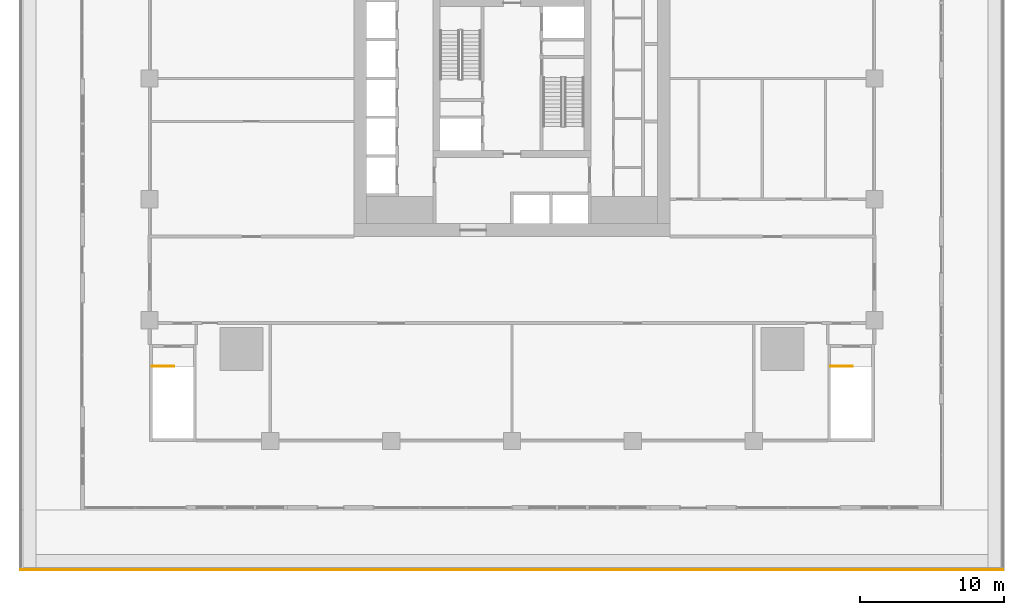
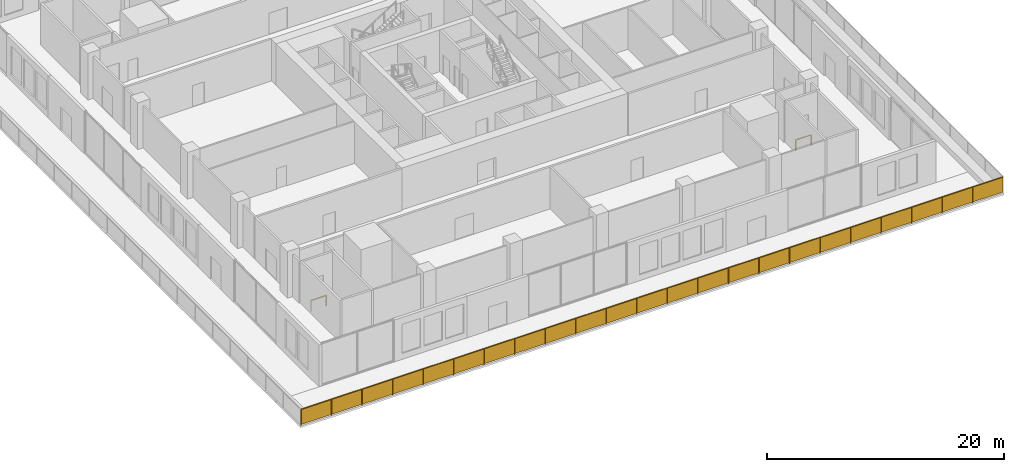
# One storey, part 18 of 22: 3 railings.
"""IFC4 building model written with IfcOpenShell, lengths in metres."""

import ifcopenshell
import ifcopenshell.guid

model = None  # the IFC model being written
_history = None  # IfcOwnerHistory: only IFC2X3 demands one
_inside = {}  # id of a spatial element -> (the spatial element, [elements in it])
_under = {}  # id of a project, library or spatial element -> (it, [spatial elements below it])
_declared = {}  # id of a project -> (the project, [libraries it declares])
_typed = {}  # id of a type object -> (the type object, [elements of that type])
_made_of = {}  # id of a material, layer set ... -> (it, [elements and type objects made of it])


def new_model(schema):
    """Start an empty IFC model of exactly this schema.

    Asked for "IFC4X3", IfcOpenShell would pick the latest addendum, in which some entities
    have other attributes; the version numbers below select the first issue.
    IFC2X3 requires an IfcOwnerHistory on every rooted entity: one is made here for all.
    """
    global model, _history
    if schema == "IFC4X3":
        model = ifcopenshell.file(schema_version=(4, 3, 0, 0))
    else:
        model = ifcopenshell.file(schema=schema)
    _inside.clear()
    _under.clear()
    _declared.clear()
    _typed.clear()
    _made_of.clear()
    _history = None
    if model.schema == "IFC2X3":
        org = make("IfcOrganization", Name="unknown")
        user = make(
            "IfcPersonAndOrganization",
            ThePerson=make("IfcPerson", FamilyName="unknown"),
            TheOrganization=org,
        )
        app = make(
            "IfcApplication",
            ApplicationDeveloper=org,
            Version="unknown",
            ApplicationFullName="unknown",
            ApplicationIdentifier="unknown",
        )
        _history = make(
            "IfcOwnerHistory",
            OwningUser=user,
            OwningApplication=app,
            ChangeAction="ADDED",
            CreationDate=0,
        )
    return model


def make(cls, **values):
    """One entity of the class cls with the attributes given. An attribute that is None is left unset."""
    return model.create_entity(
        cls, **{name: value for name, value in values.items() if value is not None}
    )


def rooted(cls, **values):
    """An entity with a GlobalId (a new one), such as an element, a storey or a relation."""
    return make(cls, GlobalId=ifcopenshell.guid.new(), OwnerHistory=_history, **values)


def si_unit(unit_type, name, prefix=None):
    """IfcSIUnit, for example si_unit("LENGTHUNIT", "METRE", prefix="MILLI")."""
    return make("IfcSIUnit", UnitType=unit_type, Prefix=prefix, Name=name)


def assignment(units):
    """IfcUnitAssignment: the units of a project."""
    return None if units is None else make("IfcUnitAssignment", Units=units)


def point(xyz):
    """IfcCartesianPoint."""
    return None if xyz is None else make("IfcCartesianPoint", Coordinates=xyz)


def direction(xyz):
    """IfcDirection."""
    return None if xyz is None else make("IfcDirection", DirectionRatios=xyz)


def frame(location, z_axis=None, x_axis=None):
    """IfcAxis2Placement3D, a coordinate frame: its origin and axes. An axis left out is left unset."""
    return make(
        "IfcAxis2Placement3D",
        Location=point(location),
        Axis=direction(z_axis),
        RefDirection=direction(x_axis),
    )


def frame_2d(location, x_axis=None):
    """IfcAxis2Placement2D, a coordinate frame in the plane: its origin and x axis."""
    return make(
        "IfcAxis2Placement2D", Location=point(location), RefDirection=direction(x_axis)
    )


def origin():
    """The frame at (0, 0, 0) with its axes left unset."""
    return frame((0.0, 0.0, 0.0))


def origin_2d():
    """The frame at (0, 0) in the plane with its x axis left unset."""
    return frame_2d((0.0, 0.0))


def place(relative_to, where):
    """IfcLocalPlacement: puts the frame where relative to a parent placement (None: the world)."""
    return make(
        "IfcLocalPlacement", PlacementRelTo=relative_to, RelativePlacement=where
    )


def context(
    kind, dimensions, precision=None, world=None, true_north=None, identifier=None
):
    """IfcGeometricRepresentationContext, for example the 3D "Model" context."""
    return make(
        "IfcGeometricRepresentationContext",
        ContextIdentifier=identifier,
        ContextType=kind,
        CoordinateSpaceDimension=dimensions,
        Precision=precision,
        WorldCoordinateSystem=world,
        TrueNorth=true_north,
    )


def subcontext(parent, identifier, kind, view, scale=None):
    """IfcGeometricRepresentationSubContext, for example "Body" below "Model"."""
    return make(
        "IfcGeometricRepresentationSubContext",
        ContextIdentifier=identifier,
        ContextType=kind,
        ParentContext=parent,
        TargetScale=scale,
        TargetView=view,
    )


def project(units=None, contexts=None):
    """IfcProject with its units and contexts."""
    return rooted(
        "IfcProject",
        Name="project",
        RepresentationContexts=contexts,
        UnitsInContext=assignment(units),
    )


def spatial(cls, under=None, at=None, **own):
    """A site, building, storey or space (cls), placed at a placement, below another one or the project."""
    s = rooted(cls, ObjectPlacement=at, **own)
    if under is not None:
        _under.setdefault(under.id(), (under, []))[1].append(s)
    return s


def profile(cls, at=None, kind="AREA", **sizes):
    """A parametric profile (cls). Its sizes go by their IFC names, for example OverallWidth=200.0."""
    return make(cls, ProfileType=kind, Position=at, **sizes)


def rectangle(**sizes):
    """IfcRectangleProfileDef."""
    return profile("IfcRectangleProfileDef", **sizes)


def extrude(swept, where, along, depth):
    """IfcExtrudedAreaSolid: the profile swept, set in the frame where, extruded along a direction by depth."""
    return make(
        "IfcExtrudedAreaSolid",
        SweptArea=swept,
        Position=where,
        ExtrudedDirection=direction(along),
        Depth=depth,
    )


def shape(context_of_items, identifier, shape_type, items):
    """IfcShapeRepresentation: the items that make up one representation, for example the "Body"."""
    return make(
        "IfcShapeRepresentation",
        ContextOfItems=context_of_items,
        RepresentationIdentifier=identifier,
        RepresentationType=shape_type,
        Items=items,
    )


def material(Name=None, Category=None):
    """IfcMaterial."""
    return make("IfcMaterial", Name=Name, Category=Category)


def made_of(thing, what):
    """Note that an element or type object is made of a material, layer set ...; save() writes the relation."""
    if what is not None:
        _made_of.setdefault(what.id(), (what, []))[1].append(thing)
    return thing


def type_object(cls, material=None, **own):
    """A type object (cls), such as IfcWallType, which elements share."""
    return made_of(rooted(cls, **own), material)


def element(
    cls,
    number,
    at=None,
    inside=None,
    cuts=None,
    type_object=None,
    material=None,
    context=None,
    identifier="Body",
    shape_type=None,
    held_by="IfcProductDefinitionShape",
    body=None,
    shapes=None,
    **own,
):
    """One element of the class cls, such as IfcWall. Its Tag is "e" and its number.

    at: its placement. inside: the storey or other place that contains it. cuts: it is an
    opening in that element (IfcRelVoidsElement). A single representation is given by context,
    identifier, shape_type and body (its items); several are given by shapes. held_by: the class
    of the entity that holds the representations. save() writes the other relations.
    """
    e = rooted(cls, Tag="e%d" % number, ObjectPlacement=at, **own)
    if body is not None:
        shapes = [shape(context, identifier, shape_type, body)]
    if shapes is not None:
        e.Representation = make(held_by, Representations=shapes)
    if inside is not None:
        _inside.setdefault(inside.id(), (inside, []))[1].append(e)
    if cuts is not None:
        rooted(
            "IfcRelVoidsElement", RelatingBuildingElement=cuts, RelatedOpeningElement=e
        )
    if type_object is not None:
        _typed.setdefault(type_object.id(), (type_object, []))[1].append(e)
    return made_of(e, material)


def aggregate(whole, parts):
    """IfcRelAggregates: a whole, such as a stair, and the parts it consists of."""
    return rooted("IfcRelAggregates", RelatingObject=whole, RelatedObjects=parts)


def save(model, path):
    """Write the relations noted so far, then the file.

    IfcRelAggregates (storeys below a building ...), IfcRelContainedInSpatialStructure (elements
    in a storey), IfcRelDefinesByType, IfcRelAssociatesMaterial and IfcRelDeclares: one each for
    every whole, place, type object, material and project.
    """
    for whole, parts in _under.values():
        aggregate(whole, parts)
    for where, things in _inside.values():
        rooted(
            "IfcRelContainedInSpatialStructure",
            RelatedElements=things,
            RelatingStructure=where,
        )
    for kind, things in _typed.values():
        rooted("IfcRelDefinesByType", RelatedObjects=things, RelatingType=kind)
    for what, things in _made_of.values():
        rooted("IfcRelAssociatesMaterial", RelatedObjects=things, RelatingMaterial=what)
    for by, libraries in _declared.values():
        rooted("IfcRelDeclares", RelatingContext=by, RelatedDefinitions=libraries)
    model.write(path)


model = new_model("IFC4")

# Units and contexts
model_context = context("Model", 3, precision=1e-05, world=origin(), true_north=direction((0.0, 1.0)))
body_context = subcontext(model_context, "Body", "Model", "MODEL_VIEW")
ifc_project = project(units=[si_unit("LENGTHUNIT", "METRE"), si_unit("AREAUNIT", "SQUARE_METRE"), si_unit("VOLUMEUNIT", "CUBIC_METRE"), si_unit("PLANEANGLEUNIT", "RADIAN"), si_unit("MASSUNIT", "GRAM", prefix="KILO")], contexts=[model_context])

# Site, building, storey
site_placement = place(None, origin())
site = spatial("IfcSite", under=ifc_project, at=site_placement, CompositionType="ELEMENT")
building_placement = place(site_placement, origin())
building = spatial("IfcBuilding", under=site, at=building_placement, Name="Khepri Terraces", CompositionType="ELEMENT")
storey_placement = place(building_placement, frame((0.0, 0.0, 22.199951171875)))
storey = spatial("IfcBuildingStorey", under=building, at=storey_placement, Name="L04", CompositionType="ELEMENT", Elevation=22.199951171875)

# Railings
ifc_material_1 = material(Name="Stainless steel grade 316", Category="steel")
railing_type_1 = type_object("IfcRailingType", Name="GRD-TERR-1700", PredefinedType="GUARDRAIL", material=ifc_material_1)
railing_placement = place(storey_placement, frame((34.14990234375, -34.14990234375, 0.0)))
element("IfcRailing", 1, at=railing_placement, inside=storey, type_object=railing_type_1, Name="Terrace guard L04", PredefinedType="GUARDRAIL", context=body_context, shape_type="SweptSolid", body=[
    extrude(rectangle(XDim=0.050048828125, YDim=0.06005859375, at=origin_2d()), frame((0.0, 0.0, 1.669921875), z_axis=(-1.0, 0.0, 0.0), x_axis=(0.0, -1.0, 0.0)), (0.0, 0.0, 1.0), 68.2998046875),
    extrude(rectangle(XDim=2.91943359375, YDim=0.011962890625, at=origin_2d()), frame((-1.48486328125, 0.0, 0.10009765625), z_axis=(0.0, 0.0, 1.0), x_axis=(-1.0, 0.0, 0.0)), (0.0, 0.0, 1.0), 1.539794921875),
    extrude(rectangle(XDim=2.91943359375, YDim=0.011962890625, at=origin_2d()), frame((-4.454345703125, 0.0, 0.10009765625), z_axis=(0.0, 0.0, 1.0), x_axis=(-1.0, 0.0, 0.0)), (0.0, 0.0, 1.0), 1.539794921875),
    extrude(rectangle(XDim=2.91943359375, YDim=0.011962890625, at=origin_2d()), frame((-7.423828125, 0.0, 0.10009765625), z_axis=(0.0, 0.0, 1.0), x_axis=(-1.0, 0.0, 0.0)), (0.0, 0.0, 1.0), 1.539794921875),
    extrude(rectangle(XDim=2.91943359375, YDim=0.011962890625, at=origin_2d()), frame((-10.3935546875, 0.0, 0.10009765625), z_axis=(0.0, 0.0, 1.0), x_axis=(-1.0, 0.0, 0.0)), (0.0, 0.0, 1.0), 1.539794921875),
    extrude(rectangle(XDim=2.91943359375, YDim=0.011962890625, at=origin_2d()), frame((-13.363037109375, 0.0, 0.10009765625), z_axis=(0.0, 0.0, 1.0), x_axis=(-1.0, 0.0, 0.0)), (0.0, 0.0, 1.0), 1.539794921875),
    extrude(rectangle(XDim=2.91943359375, YDim=0.011962890625, at=origin_2d()), frame((-16.33251953125, 0.0, 0.10009765625), z_axis=(0.0, 0.0, 1.0), x_axis=(-1.0, 0.0, 0.0)), (0.0, 0.0, 1.0), 1.539794921875),
    extrude(rectangle(XDim=2.91943359375, YDim=0.011962890625, at=origin_2d()), frame((-19.302001953125, 0.0, 0.10009765625), z_axis=(0.0, 0.0, 1.0), x_axis=(-1.0, 0.0, 0.0)), (0.0, 0.0, 1.0), 1.539794921875),
    extrude(rectangle(XDim=2.91943359375, YDim=0.011962890625, at=origin_2d()), frame((-22.271728515625, 0.0, 0.10009765625), z_axis=(0.0, 0.0, 1.0), x_axis=(-1.0, 0.0, 0.0)), (0.0, 0.0, 1.0), 1.539794921875),
    extrude(rectangle(XDim=2.91943359375, YDim=0.011962890625, at=origin_2d()), frame((-25.2412109375, 0.0, 0.10009765625), z_axis=(0.0, 0.0, 1.0), x_axis=(-1.0, 0.0, 0.0)), (0.0, 0.0, 1.0), 1.539794921875),
    extrude(rectangle(XDim=2.91943359375, YDim=0.011962890625, at=origin_2d()), frame((-28.210693359375, 0.0, 0.10009765625), z_axis=(0.0, 0.0, 1.0), x_axis=(-1.0, 0.0, 0.0)), (0.0, 0.0, 1.0), 1.539794921875),
    extrude(rectangle(XDim=2.91943359375, YDim=0.011962890625, at=origin_2d()), frame((-31.180419921875, 0.0, 0.10009765625), z_axis=(0.0, 0.0, 1.0), x_axis=(-1.0, 0.0, 0.0)), (0.0, 0.0, 1.0), 1.539794921875),
    extrude(rectangle(XDim=2.91943359375, YDim=0.011962890625, at=origin_2d()), frame((-34.14990234375, 0.0, 0.10009765625), z_axis=(0.0, 0.0, 1.0), x_axis=(-1.0, 0.0, 0.0)), (0.0, 0.0, 1.0), 1.539794921875),
    extrude(rectangle(XDim=2.91943359375, YDim=0.011962890625, at=origin_2d()), frame((-37.119384765625, 0.0, 0.10009765625), z_axis=(0.0, 0.0, 1.0), x_axis=(-1.0, 0.0, 0.0)), (0.0, 0.0, 1.0), 1.539794921875),
    extrude(rectangle(XDim=2.91943359375, YDim=0.011962890625, at=origin_2d()), frame((-40.089111328125, 0.0, 0.10009765625), z_axis=(0.0, 0.0, 1.0), x_axis=(-1.0, 0.0, 0.0)), (0.0, 0.0, 1.0), 1.539794921875),
    extrude(rectangle(XDim=2.91943359375, YDim=0.011962890625, at=origin_2d()), frame((-43.05859375, 0.0, 0.10009765625), z_axis=(0.0, 0.0, 1.0), x_axis=(-1.0, 0.0, 0.0)), (0.0, 0.0, 1.0), 1.539794921875),
    extrude(rectangle(XDim=2.91943359375, YDim=0.011962890625, at=origin_2d()), frame((-46.028076171875, 0.0, 0.10009765625), z_axis=(0.0, 0.0, 1.0), x_axis=(-1.0, 0.0, 0.0)), (0.0, 0.0, 1.0), 1.539794921875),
    extrude(rectangle(XDim=2.91943359375, YDim=0.011962890625, at=origin_2d()), frame((-48.997802734375, 0.0, 0.10009765625), z_axis=(0.0, 0.0, 1.0), x_axis=(-1.0, 0.0, 0.0)), (0.0, 0.0, 1.0), 1.539794921875),
    extrude(rectangle(XDim=2.91943359375, YDim=0.011962890625, at=origin_2d()), frame((-51.96728515625, 0.0, 0.10009765625), z_axis=(0.0, 0.0, 1.0), x_axis=(-1.0, 0.0, 0.0)), (0.0, 0.0, 1.0), 1.539794921875),
    extrude(rectangle(XDim=2.91943359375, YDim=0.011962890625, at=origin_2d()), frame((-54.936767578125, 0.0, 0.10009765625), z_axis=(0.0, 0.0, 1.0), x_axis=(-1.0, 0.0, 0.0)), (0.0, 0.0, 1.0), 1.539794921875),
    extrude(rectangle(XDim=2.91943359375, YDim=0.011962890625, at=origin_2d()), frame((-57.90625, 0.0, 0.10009765625), z_axis=(0.0, 0.0, 1.0), x_axis=(-1.0, 0.0, 0.0)), (0.0, 0.0, 1.0), 1.539794921875),
    extrude(rectangle(XDim=2.91943359375, YDim=0.011962890625, at=origin_2d()), frame((-60.8759765625, 0.0, 0.10009765625), z_axis=(0.0, 0.0, 1.0), x_axis=(-1.0, 0.0, 0.0)), (0.0, 0.0, 1.0), 1.539794921875),
    extrude(rectangle(XDim=2.91943359375, YDim=0.011962890625, at=origin_2d()), frame((-63.845458984375, 0.0, 0.10009765625), z_axis=(0.0, 0.0, 1.0), x_axis=(-1.0, 0.0, 0.0)), (0.0, 0.0, 1.0), 1.539794921875),
    extrude(rectangle(XDim=2.91943359375, YDim=0.011962890625, at=origin_2d()), frame((-66.81494140625, 0.0, 0.10009765625), z_axis=(0.0, 0.0, 1.0), x_axis=(-1.0, 0.0, 0.0)), (0.0, 0.0, 1.0), 1.539794921875),
    extrude(rectangle(XDim=0.050048828125, YDim=0.050048828125, at=origin_2d()), frame((-2.969482421875, 0.0, 0.0)), (0.0, 0.0, 1.0), 1.639892578125),
    extrude(rectangle(XDim=0.050048828125, YDim=0.050048828125, at=origin_2d()), frame((-5.939208984375, 0.0, 0.0)), (0.0, 0.0, 1.0), 1.639892578125),
    extrude(rectangle(XDim=0.050048828125, YDim=0.050048828125, at=origin_2d()), frame((-8.90869140625, 0.0, 0.0)), (0.0, 0.0, 1.0), 1.639892578125),
    extrude(rectangle(XDim=0.050048828125, YDim=0.050048828125, at=origin_2d()), frame((-11.878173828125, 0.0, 0.0)), (0.0, 0.0, 1.0), 1.639892578125),
    extrude(rectangle(XDim=0.050048828125, YDim=0.050048828125, at=origin_2d()), frame((-14.847900390625, 0.0, 0.0)), (0.0, 0.0, 1.0), 1.639892578125),
    extrude(rectangle(XDim=0.050048828125, YDim=0.050048828125, at=origin_2d()), frame((-17.8173828125, 0.0, 0.0)), (0.0, 0.0, 1.0), 1.639892578125),
    extrude(rectangle(XDim=0.050048828125, YDim=0.050048828125, at=origin_2d()), frame((-20.786865234375, 0.0, 0.0)), (0.0, 0.0, 1.0), 1.639892578125),
    extrude(rectangle(XDim=0.050048828125, YDim=0.050048828125, at=origin_2d()), frame((-23.75634765625, 0.0, 0.0)), (0.0, 0.0, 1.0), 1.639892578125),
    extrude(rectangle(XDim=0.050048828125, YDim=0.050048828125, at=origin_2d()), frame((-26.72607421875, 0.0, 0.0)), (0.0, 0.0, 1.0), 1.639892578125),
    extrude(rectangle(XDim=0.050048828125, YDim=0.050048828125, at=origin_2d()), frame((-29.695556640625, 0.0, 0.0)), (0.0, 0.0, 1.0), 1.639892578125),
    extrude(rectangle(XDim=0.050048828125, YDim=0.050048828125, at=origin_2d()), frame((-32.6650390625, 0.0, 0.0)), (0.0, 0.0, 1.0), 1.639892578125),
    extrude(rectangle(XDim=0.050048828125, YDim=0.050048828125, at=origin_2d()), frame((-35.634765625, 0.0, 0.0)), (0.0, 0.0, 1.0), 1.639892578125),
    extrude(rectangle(XDim=0.050048828125, YDim=0.050048828125, at=origin_2d()), frame((-38.604248046875, 0.0, 0.0)), (0.0, 0.0, 1.0), 1.639892578125),
    extrude(rectangle(XDim=0.050048828125, YDim=0.050048828125, at=origin_2d()), frame((-41.57373046875, 0.0, 0.0)), (0.0, 0.0, 1.0), 1.639892578125),
    extrude(rectangle(XDim=0.050048828125, YDim=0.050048828125, at=origin_2d()), frame((-44.54345703125, 0.0, 0.0)), (0.0, 0.0, 1.0), 1.639892578125),
    extrude(rectangle(XDim=0.050048828125, YDim=0.050048828125, at=origin_2d()), frame((-47.512939453125, 0.0, 0.0)), (0.0, 0.0, 1.0), 1.639892578125),
    extrude(rectangle(XDim=0.050048828125, YDim=0.050048828125, at=origin_2d()), frame((-50.482421875, 0.0, 0.0)), (0.0, 0.0, 1.0), 1.639892578125),
    extrude(rectangle(XDim=0.050048828125, YDim=0.050048828125, at=origin_2d()), frame((-53.451904296875, 0.0, 0.0)), (0.0, 0.0, 1.0), 1.639892578125),
    extrude(rectangle(XDim=0.050048828125, YDim=0.050048828125, at=origin_2d()), frame((-56.421630859375, 0.0, 0.0)), (0.0, 0.0, 1.0), 1.639892578125),
    extrude(rectangle(XDim=0.050048828125, YDim=0.050048828125, at=origin_2d()), frame((-59.39111328125, 0.0, 0.0)), (0.0, 0.0, 1.0), 1.639892578125),
    extrude(rectangle(XDim=0.050048828125, YDim=0.050048828125, at=origin_2d()), frame((-62.360595703125, 0.0, 0.0)), (0.0, 0.0, 1.0), 1.639892578125),
    extrude(rectangle(XDim=0.050048828125, YDim=0.050048828125, at=origin_2d()), frame((-65.330322265625, 0.0, 0.0)), (0.0, 0.0, 1.0), 1.639892578125),
    extrude(rectangle(XDim=0.050048828125, YDim=0.050048828125, at=origin_2d()), frame((-68.2998046875, 0.0, 0.0)), (0.0, 0.0, 1.0), 1.639892578125),
])
ifc_material_2 = material(Name="Stainless steel 316", Category="steel")
railing_type_2 = type_object("IfcRailingType", Name="RL-POD-GUARD", PredefinedType="GUARDRAIL", material=ifc_material_2)
for number, where, name in (
    (2, (22.14990234375, -20.0, 0.0), "L04 PS-3 top well guard 1"),
    (3, (-25.0, -20.0, 0.0), "L04 PS-4 top well guard 1"),
):
    element("IfcRailing", number, at=place(storey_placement, frame(where)), inside=storey, type_object=railing_type_2, Name=name, PredefinedType="GUARDRAIL", context=body_context, shape_type="SweptSolid", body=[
        extrude(rectangle(XDim=0.050048828125, YDim=0.06005859375, at=origin_2d()), frame((0.0, 0.0, 1.070068359375), z_axis=(1.0, 0.0, 0.0), x_axis=(0.0, 1.0, 0.0)), (0.0, 0.0, 1.0), 1.5),
        extrude(rectangle(XDim=0.050048828125, YDim=0.050048828125, at=origin_2d()), origin(), (0.0, 0.0, 1.0), 1.0400390625),
        extrude(rectangle(XDim=0.050048828125, YDim=0.050048828125, at=origin_2d()), frame((1.5, 0.0, 0.0)), (0.0, 0.0, 1.0), 1.0400390625),
    ])

save(model, "model.ifc")
